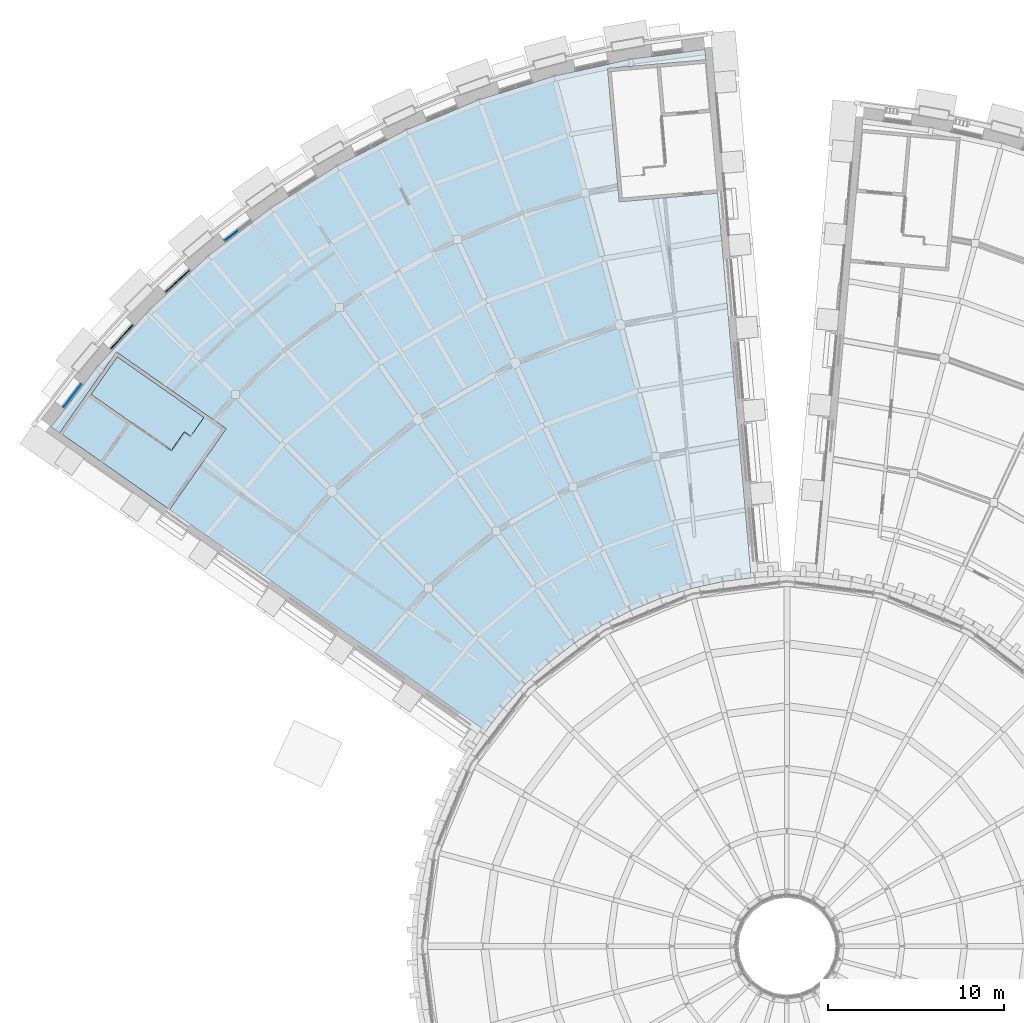
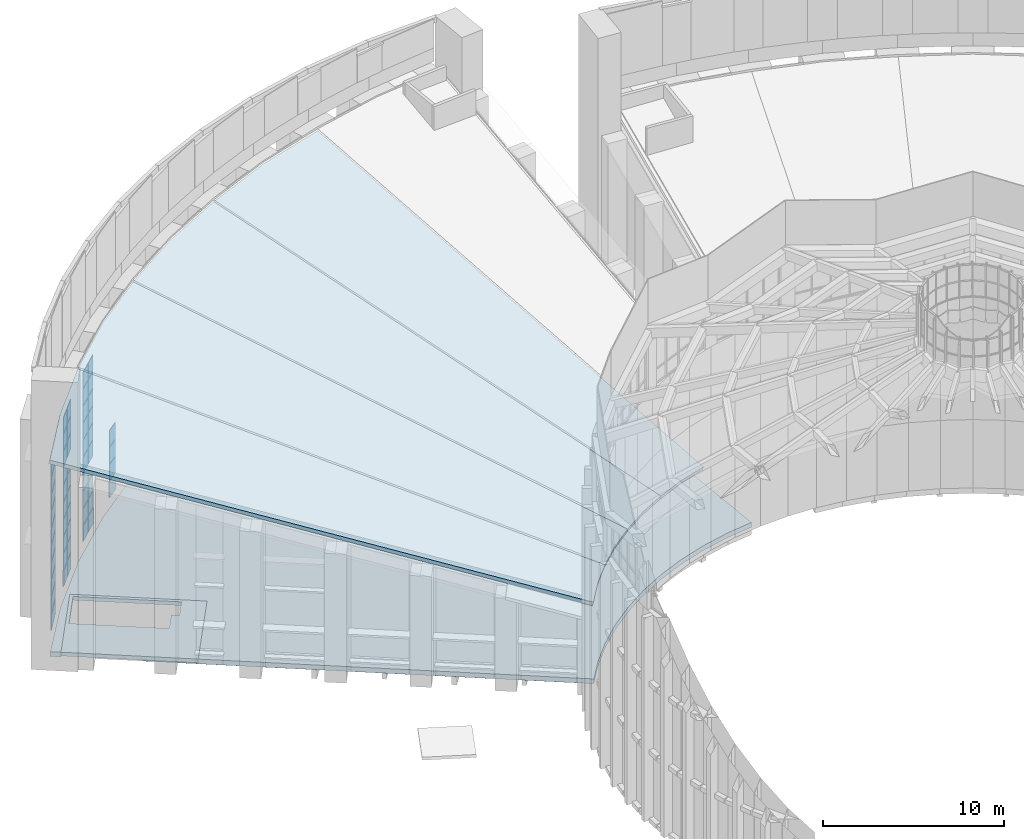
# One storey, part 47 of 82: 54 plates, 6 slabs, 4 elements without a shape of their own.
"""IFC4 building model written with IfcOpenShell, lengths in metres."""

import ifcopenshell
import ifcopenshell.guid

model = None  # the IFC model being written
_history = None  # IfcOwnerHistory: only IFC2X3 demands one
_inside = {}  # id of a spatial element -> (the spatial element, [elements in it])
_under = {}  # id of a project, library or spatial element -> (it, [spatial elements below it])
_declared = {}  # id of a project -> (the project, [libraries it declares])
_typed = {}  # id of a type object -> (the type object, [elements of that type])
_made_of = {}  # id of a material, layer set ... -> (it, [elements and type objects made of it])


def new_model(schema):
    """Start an empty IFC model of exactly this schema.

    Asked for "IFC4X3", IfcOpenShell would pick the latest addendum, in which some entities
    have other attributes; the version numbers below select the first issue.
    IFC2X3 requires an IfcOwnerHistory on every rooted entity: one is made here for all.
    """
    global model, _history
    if schema == "IFC4X3":
        model = ifcopenshell.file(schema_version=(4, 3, 0, 0))
    else:
        model = ifcopenshell.file(schema=schema)
    _inside.clear()
    _under.clear()
    _declared.clear()
    _typed.clear()
    _made_of.clear()
    _history = None
    if model.schema == "IFC2X3":
        org = make("IfcOrganization", Name="unknown")
        user = make(
            "IfcPersonAndOrganization",
            ThePerson=make("IfcPerson", FamilyName="unknown"),
            TheOrganization=org,
        )
        app = make(
            "IfcApplication",
            ApplicationDeveloper=org,
            Version="unknown",
            ApplicationFullName="unknown",
            ApplicationIdentifier="unknown",
        )
        _history = make(
            "IfcOwnerHistory",
            OwningUser=user,
            OwningApplication=app,
            ChangeAction="ADDED",
            CreationDate=0,
        )
    return model


def make(cls, **values):
    """One entity of the class cls with the attributes given. An attribute that is None is left unset."""
    return model.create_entity(
        cls, **{name: value for name, value in values.items() if value is not None}
    )


def rooted(cls, **values):
    """An entity with a GlobalId (a new one), such as an element, a storey or a relation."""
    return make(cls, GlobalId=ifcopenshell.guid.new(), OwnerHistory=_history, **values)


def si_unit(unit_type, name, prefix=None):
    """IfcSIUnit, for example si_unit("LENGTHUNIT", "METRE", prefix="MILLI")."""
    return make("IfcSIUnit", UnitType=unit_type, Prefix=prefix, Name=name)


def assignment(units):
    """IfcUnitAssignment: the units of a project."""
    return None if units is None else make("IfcUnitAssignment", Units=units)


def point(xyz):
    """IfcCartesianPoint."""
    return None if xyz is None else make("IfcCartesianPoint", Coordinates=xyz)


def direction(xyz):
    """IfcDirection."""
    return None if xyz is None else make("IfcDirection", DirectionRatios=xyz)


def frame(location, z_axis=None, x_axis=None):
    """IfcAxis2Placement3D, a coordinate frame: its origin and axes. An axis left out is left unset."""
    return make(
        "IfcAxis2Placement3D",
        Location=point(location),
        Axis=direction(z_axis),
        RefDirection=direction(x_axis),
    )


def frame_2d(location, x_axis=None):
    """IfcAxis2Placement2D, a coordinate frame in the plane: its origin and x axis."""
    return make(
        "IfcAxis2Placement2D", Location=point(location), RefDirection=direction(x_axis)
    )


def origin():
    """The frame at (0, 0, 0) with its axes left unset."""
    return frame((0.0, 0.0, 0.0))


def origin_2d():
    """The frame at (0, 0) in the plane with its x axis left unset."""
    return frame_2d((0.0, 0.0))


def place(relative_to, where):
    """IfcLocalPlacement: puts the frame where relative to a parent placement (None: the world)."""
    return make(
        "IfcLocalPlacement", PlacementRelTo=relative_to, RelativePlacement=where
    )


def context(
    kind, dimensions, precision=None, world=None, true_north=None, identifier=None
):
    """IfcGeometricRepresentationContext, for example the 3D "Model" context."""
    return make(
        "IfcGeometricRepresentationContext",
        ContextIdentifier=identifier,
        ContextType=kind,
        CoordinateSpaceDimension=dimensions,
        Precision=precision,
        WorldCoordinateSystem=world,
        TrueNorth=true_north,
    )


def subcontext(parent, identifier, kind, view, scale=None):
    """IfcGeometricRepresentationSubContext, for example "Body" below "Model"."""
    return make(
        "IfcGeometricRepresentationSubContext",
        ContextIdentifier=identifier,
        ContextType=kind,
        ParentContext=parent,
        TargetScale=scale,
        TargetView=view,
    )


def project(units=None, contexts=None):
    """IfcProject with its units and contexts."""
    return rooted(
        "IfcProject",
        Name="project",
        RepresentationContexts=contexts,
        UnitsInContext=assignment(units),
    )


def spatial(cls, under=None, at=None, **own):
    """A site, building, storey or space (cls), placed at a placement, below another one or the project."""
    s = rooted(cls, ObjectPlacement=at, **own)
    if under is not None:
        _under.setdefault(under.id(), (under, []))[1].append(s)
    return s


def polyline(points):
    """IfcPolyline through the points."""
    return make("IfcPolyline", Points=[point(p) for p in points])


def profile(cls, at=None, kind="AREA", **sizes):
    """A parametric profile (cls). Its sizes go by their IFC names, for example OverallWidth=200.0."""
    return make(cls, ProfileType=kind, Position=at, **sizes)


def rectangle(**sizes):
    """IfcRectangleProfileDef."""
    return profile("IfcRectangleProfileDef", **sizes)


def outline(outer, holes=None, kind="AREA"):
    """IfcArbitraryClosedProfileDef: a profile drawn as a closed curve; with holes, ...WithVoids."""
    if holes is None:
        return make("IfcArbitraryClosedProfileDef", ProfileType=kind, OuterCurve=outer)
    return make(
        "IfcArbitraryProfileDefWithVoids",
        ProfileType=kind,
        OuterCurve=outer,
        InnerCurves=holes,
    )


def extrude(swept, where, along, depth):
    """IfcExtrudedAreaSolid: the profile swept, set in the frame where, extruded along a direction by depth."""
    return make(
        "IfcExtrudedAreaSolid",
        SweptArea=swept,
        Position=where,
        ExtrudedDirection=direction(along),
        Depth=depth,
    )


def shape(context_of_items, identifier, shape_type, items):
    """IfcShapeRepresentation: the items that make up one representation, for example the "Body"."""
    return make(
        "IfcShapeRepresentation",
        ContextOfItems=context_of_items,
        RepresentationIdentifier=identifier,
        RepresentationType=shape_type,
        Items=items,
    )


def material(Name=None, Category=None):
    """IfcMaterial."""
    return make("IfcMaterial", Name=Name, Category=Category)


def layer(
    of_material, thickness, ventilated=None, Name=None, Category=None, Priority=None
):
    """IfcMaterialLayer: one layer of a wall or slab, of a material (None: an air gap)."""
    return make(
        "IfcMaterialLayer",
        Material=of_material,
        LayerThickness=thickness,
        IsVentilated=ventilated,
        Name=Name,
        Category=Category,
        Priority=Priority,
    )


def layer_set(layers, Name=None):
    """IfcMaterialLayerSet."""
    return make("IfcMaterialLayerSet", MaterialLayers=layers, LayerSetName=Name)


def made_of(thing, what):
    """Note that an element or type object is made of a material, layer set ...; save() writes the relation."""
    if what is not None:
        _made_of.setdefault(what.id(), (what, []))[1].append(thing)
    return thing


def type_object(cls, material=None, **own):
    """A type object (cls), such as IfcWallType, which elements share."""
    return made_of(rooted(cls, **own), material)


def element(
    cls,
    number,
    at=None,
    inside=None,
    cuts=None,
    type_object=None,
    material=None,
    context=None,
    identifier="Body",
    shape_type=None,
    held_by="IfcProductDefinitionShape",
    body=None,
    shapes=None,
    **own,
):
    """One element of the class cls, such as IfcWall. Its Tag is "e" and its number.

    at: its placement. inside: the storey or other place that contains it. cuts: it is an
    opening in that element (IfcRelVoidsElement). A single representation is given by context,
    identifier, shape_type and body (its items); several are given by shapes. held_by: the class
    of the entity that holds the representations. save() writes the other relations.
    """
    e = rooted(cls, Tag="e%d" % number, ObjectPlacement=at, **own)
    if body is not None:
        shapes = [shape(context, identifier, shape_type, body)]
    if shapes is not None:
        e.Representation = make(held_by, Representations=shapes)
    if inside is not None:
        _inside.setdefault(inside.id(), (inside, []))[1].append(e)
    if cuts is not None:
        rooted(
            "IfcRelVoidsElement", RelatingBuildingElement=cuts, RelatedOpeningElement=e
        )
    if type_object is not None:
        _typed.setdefault(type_object.id(), (type_object, []))[1].append(e)
    return made_of(e, material)


def aggregate(whole, parts):
    """IfcRelAggregates: a whole, such as a stair, and the parts it consists of."""
    return rooted("IfcRelAggregates", RelatingObject=whole, RelatedObjects=parts)


def save(model, path):
    """Write the relations noted so far, then the file.

    IfcRelAggregates (storeys below a building ...), IfcRelContainedInSpatialStructure (elements
    in a storey), IfcRelDefinesByType, IfcRelAssociatesMaterial and IfcRelDeclares: one each for
    every whole, place, type object, material and project.
    """
    for whole, parts in _under.values():
        aggregate(whole, parts)
    for where, things in _inside.values():
        rooted(
            "IfcRelContainedInSpatialStructure",
            RelatedElements=things,
            RelatingStructure=where,
        )
    for kind, things in _typed.values():
        rooted("IfcRelDefinesByType", RelatedObjects=things, RelatingType=kind)
    for what, things in _made_of.values():
        rooted("IfcRelAssociatesMaterial", RelatedObjects=things, RelatingMaterial=what)
    for by, libraries in _declared.values():
        rooted("IfcRelDeclares", RelatingContext=by, RelatedDefinitions=libraries)
    model.write(path)


model = new_model("IFC4")

# Units and contexts
model_context = context("Model", 3, precision=1e-05, world=origin(), true_north=direction((0.0, 1.0)))
body_context = subcontext(model_context, "Body", "Model", "MODEL_VIEW")
ifc_project = project(units=[si_unit("LENGTHUNIT", "METRE"), si_unit("AREAUNIT", "SQUARE_METRE"), si_unit("VOLUMEUNIT", "CUBIC_METRE"), si_unit("PLANEANGLEUNIT", "RADIAN"), si_unit("MASSUNIT", "GRAM", prefix="KILO")], contexts=[model_context])

# Site, building, storey
site_placement = place(None, origin())
site = spatial("IfcSite", under=ifc_project, at=site_placement, CompositionType="ELEMENT")
building_placement = place(site_placement, origin())
building = spatial("IfcBuilding", under=site, at=building_placement, Name="Volute Hill Aquarium", CompositionType="ELEMENT")
storey_placement = place(building_placement, frame((0.0, 0.0, 13.800048828125)))
storey = spatial("IfcBuildingStorey", under=building, at=storey_placement, Name="L04", CompositionType="ELEMENT", Elevation=13.800048828125)

# Slab
ifc_material_1 = material(Name="Concrete C30/37", Category="concrete")
ifc_layer_1 = layer(ifc_material_1, 0.25)
ifc_layer_set_1 = layer_set([ifc_layer_1], Name="Core floor slab 250")
slab_type_1 = type_object("IfcSlabType", Name="Core floor slab 250", PredefinedType="FLOOR", material=ifc_layer_set_1)
slab_1_placement = place(storey_placement, frame((0.0, 0.0, -0.25)))
element("IfcSlab", 1, at=slab_1_placement, inside=storey, type_object=slab_type_1, Name="cs/S6-B/L04", PredefinedType="FLOOR", context=body_context, shape_type="SweptSolid", body=[
    extrude(outline(polyline([(-31.81494140625, 29.357421875), (-38.040283203125, 33.716796875), (-41.25244140625, 29.12939453125), (-35.02685546875, 24.770263671875), (-31.81494140625, 29.357421875)]), holes=[polyline([(-34.936279296875, 28.125), (-39.482666015625, 31.308349609375), (-37.9912109375, 33.43798828125), (-33.077880859375, 29.997802734375), (-33.82373046875, 28.932861328125), (-34.190673828125, 29.18994140625), (-34.936279296875, 28.125)])]), origin(), (0.0, 0.0, 1.0), 0.25),
])

# Curtain wall, plates
ifc_material_2 = material(Name="Aluminium", Category="aluminium")
ifc_layer_2 = layer(ifc_material_2, 0.25)
ifc_layer_set_2 = layer_set([ifc_layer_2], Name="Curtain wall niche S6 module 967")
curtain_wall_type_1 = type_object("IfcCurtainWallType", Name="Curtain wall niche S6 module 967", PredefinedType="NOTDEFINED", material=ifc_layer_set_2)
curtain_wall_1_placement = place(storey_placement, origin())
curtain_wall_1 = element("IfcCurtainWall", 2, at=curtain_wall_1_placement, inside=storey, type_object=curtain_wall_type_1, Name="Curtain wall CW S6 L04 7", PredefinedType="NOTDEFINED")
ifc_material_3 = material(Name="Glass, low-iron laminated", Category="glass")
ifc_layer_3 = layer(ifc_material_3, 0.0439453125)
ifc_layer_set_3 = layer_set([ifc_layer_3], Name="Curtain wall glass panel S6 44")
plate_type_1 = type_object("IfcPlateType", Name="Curtain wall glass panel S6 44", PredefinedType="CURTAIN_PANEL", material=ifc_layer_set_3)
plate_1_placement = place(storey_placement, frame((-31.527587890625, 40.31396484375, 1.6240234375), z_axis=(0.0, 0.0, 1.0), x_axis=(-0.793347775493, -0.608768681127, 0.0)))
plate_1 = element("IfcPlate", 3, at=plate_1_placement, type_object=plate_type_1, Name="CW panel 2.2", PredefinedType="CURTAIN_PANEL", context=body_context, shape_type="SweptSolid", body=[
    extrude(rectangle(XDim=0.891845703125, YDim=0.0439453125, at=origin_2d()), origin(), (0.0, 0.0, 1.0), 1.09912109375),
])
plate_2_placement = place(storey_placement, frame((-31.527587890625, 40.31396484375, 2.773193359375), z_axis=(0.0, 0.0, 1.0), x_axis=(-0.793347775493, -0.608768681127, 0.0)))
plate_2 = element("IfcPlate", 4, at=plate_2_placement, type_object=plate_type_1, Name="CW panel 2.3", PredefinedType="CURTAIN_PANEL", context=body_context, shape_type="SweptSolid", body=[
    extrude(rectangle(XDim=0.891845703125, YDim=0.0439453125, at=origin_2d()), origin(), (0.0, 0.0, 1.0), 1.09912109375),
])
plate_3_placement = place(storey_placement, frame((-31.527587890625, 40.31396484375, 3.92236328125), z_axis=(0.0, 0.0, 1.0), x_axis=(-0.793347775493, -0.608768681127, 0.0)))
plate_3 = element("IfcPlate", 5, at=plate_3_placement, type_object=plate_type_1, Name="CW panel 2.4", PredefinedType="CURTAIN_PANEL", context=body_context, shape_type="SweptSolid", body=[
    extrude(rectangle(XDim=0.891845703125, YDim=0.0439453125, at=origin_2d()), origin(), (0.0, 0.0, 1.0), 1.09912109375),
])

curtain_wall_2_placement = place(storey_placement, origin())
curtain_wall_2 = element("IfcCurtainWall", 6, at=curtain_wall_2_placement, inside=storey, type_object=curtain_wall_type_1, Name="Curtain wall CW S6 L04 8", PredefinedType="NOTDEFINED")
plate_4_placement = place(storey_placement, frame((-34.226806640625, 38.049072265625, 1.6240234375), z_axis=(0.0, 0.0, 1.0), x_axis=(-0.737284850624, -0.675582007635, 0.0)))
plate_4 = element("IfcPlate", 7, at=plate_4_placement, type_object=plate_type_1, Name="CW panel 1.2", PredefinedType="CURTAIN_PANEL", context=body_context, shape_type="SweptSolid", body=[
    extrude(rectangle(XDim=0.891845703125, YDim=0.0439453125, at=origin_2d()), origin(), (0.0, 0.0, 1.0), 1.09912109375),
])
plate_5_placement = place(storey_placement, frame((-34.226806640625, 38.049072265625, 2.773193359375), z_axis=(0.0, 0.0, 1.0), x_axis=(-0.737284850624, -0.675582007635, 0.0)))
plate_5 = element("IfcPlate", 8, at=plate_5_placement, type_object=plate_type_1, Name="CW panel 1.3", PredefinedType="CURTAIN_PANEL", context=body_context, shape_type="SweptSolid", body=[
    extrude(rectangle(XDim=0.891845703125, YDim=0.0439453125, at=origin_2d()), origin(), (0.0, 0.0, 1.0), 1.09912109375),
])
plate_6_placement = place(storey_placement, frame((-34.226806640625, 38.049072265625, 3.92236328125), z_axis=(0.0, 0.0, 1.0), x_axis=(-0.737284850624, -0.675582007635, 0.0)))
plate_6 = element("IfcPlate", 9, at=plate_6_placement, type_object=plate_type_1, Name="CW panel 1.4", PredefinedType="CURTAIN_PANEL", context=body_context, shape_type="SweptSolid", body=[
    extrude(rectangle(XDim=0.891845703125, YDim=0.0439453125, at=origin_2d()), origin(), (0.0, 0.0, 1.0), 1.09912109375),
])
plate_7_placement = place(storey_placement, frame((-34.226806640625, 38.049072265625, 5.071533203125), z_axis=(0.0, 0.0, 1.0), x_axis=(-0.737284850624, -0.675582007635, 0.0)))
plate_7 = element("IfcPlate", 10, at=plate_7_placement, type_object=plate_type_1, Name="CW panel 1.5", PredefinedType="CURTAIN_PANEL", context=body_context, shape_type="SweptSolid", body=[
    extrude(rectangle(XDim=0.891845703125, YDim=0.0439453125, at=origin_2d()), origin(), (0.0, 0.0, 1.0), 1.09912109375),
])
plate_8_placement = place(storey_placement, frame((-34.226806640625, 38.049072265625, 6.220703125), z_axis=(0.0, 0.0, 1.0), x_axis=(-0.737284850624, -0.675582007635, 0.0)))
plate_8 = element("IfcPlate", 11, at=plate_8_placement, type_object=plate_type_1, Name="CW panel 1.6", PredefinedType="CURTAIN_PANEL", context=body_context, shape_type="SweptSolid", body=[
    extrude(rectangle(XDim=0.891845703125, YDim=0.0439453125, at=origin_2d()), origin(), (0.0, 0.0, 1.0), 1.09912109375),
])
plate_9_placement = place(storey_placement, frame((-34.226806640625, 38.049072265625, 7.369873046875), z_axis=(0.0, 0.0, 1.0), x_axis=(-0.737284850624, -0.675582007635, 0.0)))
plate_9 = element("IfcPlate", 12, at=plate_9_placement, type_object=plate_type_1, Name="CW panel 1.7", PredefinedType="CURTAIN_PANEL", context=body_context, shape_type="SweptSolid", body=[
    extrude(rectangle(XDim=0.891845703125, YDim=0.0439453125, at=origin_2d()), origin(), (0.0, 0.0, 1.0), 1.09912109375),
])
plate_10_placement = place(storey_placement, frame((-34.226806640625, 38.049072265625, 8.51904296875), z_axis=(0.0, 0.0, 1.0), x_axis=(-0.737284850624, -0.675582007635, 0.0)))
plate_10 = element("IfcPlate", 13, at=plate_10_placement, type_object=plate_type_1, Name="CW panel 1.8", PredefinedType="CURTAIN_PANEL", context=body_context, shape_type="SweptSolid", body=[
    extrude(rectangle(XDim=0.891845703125, YDim=0.0439453125, at=origin_2d()), origin(), (0.0, 0.0, 1.0), 1.09912109375),
])
plate_11_placement = place(storey_placement, frame((-34.226806640625, 38.049072265625, 9.66796875), z_axis=(0.0, 0.0, 1.0), x_axis=(-0.737284850624, -0.675582007635, 0.0)))
plate_11 = element("IfcPlate", 14, at=plate_11_placement, type_object=plate_type_1, Name="CW panel 1.9", PredefinedType="CURTAIN_PANEL", context=body_context, shape_type="SweptSolid", body=[
    extrude(rectangle(XDim=0.891845703125, YDim=0.0439453125, at=origin_2d()), origin(), (0.0, 0.0, 1.0), 1.09912109375),
])
plate_12_placement = place(storey_placement, frame((-34.226806640625, 38.049072265625, 10.817138671875), z_axis=(0.0, 0.0, 1.0), x_axis=(-0.737284850624, -0.675582007635, 0.0)))
plate_12 = element("IfcPlate", 15, at=plate_12_placement, type_object=plate_type_1, Name="CW panel 1.10", PredefinedType="CURTAIN_PANEL", context=body_context, shape_type="SweptSolid", body=[
    extrude(rectangle(XDim=0.891845703125, YDim=0.0439453125, at=origin_2d()), origin(), (0.0, 0.0, 1.0), 1.07421875),
])
plate_13_placement = place(storey_placement, frame((-34.921142578125, 37.412841796875, 1.6240234375), z_axis=(0.0, 0.0, 1.0), x_axis=(-0.737284850624, -0.675582007635, 0.0)))
plate_13 = element("IfcPlate", 16, at=plate_13_placement, type_object=plate_type_1, Name="CW panel 2.2", PredefinedType="CURTAIN_PANEL", context=body_context, shape_type="SweptSolid", body=[
    extrude(rectangle(XDim=0.891845703125, YDim=0.0439453125, at=origin_2d()), origin(), (0.0, 0.0, 1.0), 1.09912109375),
])
plate_14_placement = place(storey_placement, frame((-34.921142578125, 37.412841796875, 2.773193359375), z_axis=(0.0, 0.0, 1.0), x_axis=(-0.737284850624, -0.675582007635, 0.0)))
plate_14 = element("IfcPlate", 17, at=plate_14_placement, type_object=plate_type_1, Name="CW panel 2.3", PredefinedType="CURTAIN_PANEL", context=body_context, shape_type="SweptSolid", body=[
    extrude(rectangle(XDim=0.891845703125, YDim=0.0439453125, at=origin_2d()), origin(), (0.0, 0.0, 1.0), 1.09912109375),
])
plate_15_placement = place(storey_placement, frame((-34.921142578125, 37.412841796875, 3.92236328125), z_axis=(0.0, 0.0, 1.0), x_axis=(-0.737284850624, -0.675582007635, 0.0)))
plate_15 = element("IfcPlate", 18, at=plate_15_placement, type_object=plate_type_1, Name="CW panel 2.4", PredefinedType="CURTAIN_PANEL", context=body_context, shape_type="SweptSolid", body=[
    extrude(rectangle(XDim=0.891845703125, YDim=0.0439453125, at=origin_2d()), origin(), (0.0, 0.0, 1.0), 1.09912109375),
])
plate_16_placement = place(storey_placement, frame((-34.921142578125, 37.412841796875, 5.071533203125), z_axis=(0.0, 0.0, 1.0), x_axis=(-0.737284850624, -0.675582007635, 0.0)))
plate_16 = element("IfcPlate", 19, at=plate_16_placement, type_object=plate_type_1, Name="CW panel 2.5", PredefinedType="CURTAIN_PANEL", context=body_context, shape_type="SweptSolid", body=[
    extrude(rectangle(XDim=0.891845703125, YDim=0.0439453125, at=origin_2d()), origin(), (0.0, 0.0, 1.0), 1.09912109375),
])
plate_17_placement = place(storey_placement, frame((-34.921142578125, 37.412841796875, 6.220703125), z_axis=(0.0, 0.0, 1.0), x_axis=(-0.737284850624, -0.675582007635, 0.0)))
plate_17 = element("IfcPlate", 20, at=plate_17_placement, type_object=plate_type_1, Name="CW panel 2.6", PredefinedType="CURTAIN_PANEL", context=body_context, shape_type="SweptSolid", body=[
    extrude(rectangle(XDim=0.891845703125, YDim=0.0439453125, at=origin_2d()), origin(), (0.0, 0.0, 1.0), 1.09912109375),
])
plate_18_placement = place(storey_placement, frame((-34.921142578125, 37.412841796875, 7.369873046875), z_axis=(0.0, 0.0, 1.0), x_axis=(-0.737284850624, -0.675582007635, 0.0)))
plate_18 = element("IfcPlate", 21, at=plate_18_placement, type_object=plate_type_1, Name="CW panel 2.7", PredefinedType="CURTAIN_PANEL", context=body_context, shape_type="SweptSolid", body=[
    extrude(rectangle(XDim=0.891845703125, YDim=0.0439453125, at=origin_2d()), origin(), (0.0, 0.0, 1.0), 1.09912109375),
])
plate_19_placement = place(storey_placement, frame((-34.921142578125, 37.412841796875, 8.51904296875), z_axis=(0.0, 0.0, 1.0), x_axis=(-0.737284850624, -0.675582007635, 0.0)))
plate_19 = element("IfcPlate", 22, at=plate_19_placement, type_object=plate_type_1, Name="CW panel 2.8", PredefinedType="CURTAIN_PANEL", context=body_context, shape_type="SweptSolid", body=[
    extrude(rectangle(XDim=0.891845703125, YDim=0.0439453125, at=origin_2d()), origin(), (0.0, 0.0, 1.0), 1.09912109375),
])
plate_20_placement = place(storey_placement, frame((-34.921142578125, 37.412841796875, 9.66796875), z_axis=(0.0, 0.0, 1.0), x_axis=(-0.737284850624, -0.675582007635, 0.0)))
plate_20 = element("IfcPlate", 23, at=plate_20_placement, type_object=plate_type_1, Name="CW panel 2.9", PredefinedType="CURTAIN_PANEL", context=body_context, shape_type="SweptSolid", body=[
    extrude(rectangle(XDim=0.891845703125, YDim=0.0439453125, at=origin_2d()), origin(), (0.0, 0.0, 1.0), 1.09912109375),
])
plate_21_placement = place(storey_placement, frame((-34.921142578125, 37.412841796875, 10.817138671875), z_axis=(0.0, 0.0, 1.0), x_axis=(-0.737284850624, -0.675582007635, 0.0)))
plate_21 = element("IfcPlate", 24, at=plate_21_placement, type_object=plate_type_1, Name="CW panel 2.10", PredefinedType="CURTAIN_PANEL", context=body_context, shape_type="SweptSolid", body=[
    extrude(rectangle(XDim=0.891845703125, YDim=0.0439453125, at=origin_2d()), origin(), (0.0, 0.0, 1.0), 1.07421875),
])

curtain_wall_3_placement = place(storey_placement, origin())
curtain_wall_3 = element("IfcCurtainWall", 25, at=curtain_wall_3_placement, inside=storey, type_object=curtain_wall_type_1, Name="Curtain wall CW S6 L04 9", PredefinedType="NOTDEFINED")
plate_22_placement = place(storey_placement, frame((-37.412841796875, 34.921142578125, 1.6240234375), z_axis=(0.0, 0.0, 1.0), x_axis=(-0.675582007635, -0.737284850624, 0.0)))
plate_22 = element("IfcPlate", 26, at=plate_22_placement, type_object=plate_type_1, Name="CW panel 1.2", PredefinedType="CURTAIN_PANEL", context=body_context, shape_type="SweptSolid", body=[
    extrude(rectangle(XDim=0.891845703125, YDim=0.0439453125, at=origin_2d()), origin(), (0.0, 0.0, 1.0), 1.09912109375),
])
plate_23_placement = place(storey_placement, frame((-37.412841796875, 34.921142578125, 2.773193359375), z_axis=(0.0, 0.0, 1.0), x_axis=(-0.675582007635, -0.737284850624, 0.0)))
plate_23 = element("IfcPlate", 27, at=plate_23_placement, type_object=plate_type_1, Name="CW panel 1.3", PredefinedType="CURTAIN_PANEL", context=body_context, shape_type="SweptSolid", body=[
    extrude(rectangle(XDim=0.891845703125, YDim=0.0439453125, at=origin_2d()), origin(), (0.0, 0.0, 1.0), 1.09912109375),
])
plate_24_placement = place(storey_placement, frame((-37.412841796875, 34.921142578125, 3.92236328125), z_axis=(0.0, 0.0, 1.0), x_axis=(-0.675582007635, -0.737284850624, 0.0)))
plate_24 = element("IfcPlate", 28, at=plate_24_placement, type_object=plate_type_1, Name="CW panel 1.4", PredefinedType="CURTAIN_PANEL", context=body_context, shape_type="SweptSolid", body=[
    extrude(rectangle(XDim=0.891845703125, YDim=0.0439453125, at=origin_2d()), origin(), (0.0, 0.0, 1.0), 1.09912109375),
])
plate_25_placement = place(storey_placement, frame((-37.412841796875, 34.921142578125, 5.071533203125), z_axis=(0.0, 0.0, 1.0), x_axis=(-0.675582007635, -0.737284850624, 0.0)))
plate_25 = element("IfcPlate", 29, at=plate_25_placement, type_object=plate_type_1, Name="CW panel 1.5", PredefinedType="CURTAIN_PANEL", context=body_context, shape_type="SweptSolid", body=[
    extrude(rectangle(XDim=0.891845703125, YDim=0.0439453125, at=origin_2d()), origin(), (0.0, 0.0, 1.0), 1.09912109375),
])
plate_26_placement = place(storey_placement, frame((-37.412841796875, 34.921142578125, 6.220703125), z_axis=(0.0, 0.0, 1.0), x_axis=(-0.675582007635, -0.737284850624, 0.0)))
plate_26 = element("IfcPlate", 30, at=plate_26_placement, type_object=plate_type_1, Name="CW panel 1.6", PredefinedType="CURTAIN_PANEL", context=body_context, shape_type="SweptSolid", body=[
    extrude(rectangle(XDim=0.891845703125, YDim=0.0439453125, at=origin_2d()), origin(), (0.0, 0.0, 1.0), 1.09912109375),
])
plate_27_placement = place(storey_placement, frame((-37.412841796875, 34.921142578125, 7.369873046875), z_axis=(0.0, 0.0, 1.0), x_axis=(-0.675582007635, -0.737284850624, 0.0)))
plate_27 = element("IfcPlate", 31, at=plate_27_placement, type_object=plate_type_1, Name="CW panel 1.7", PredefinedType="CURTAIN_PANEL", context=body_context, shape_type="SweptSolid", body=[
    extrude(rectangle(XDim=0.891845703125, YDim=0.0439453125, at=origin_2d()), origin(), (0.0, 0.0, 1.0), 1.09912109375),
])
plate_28_placement = place(storey_placement, frame((-37.412841796875, 34.921142578125, 8.51904296875), z_axis=(0.0, 0.0, 1.0), x_axis=(-0.675582007635, -0.737284850624, 0.0)))
plate_28 = element("IfcPlate", 32, at=plate_28_placement, type_object=plate_type_1, Name="CW panel 1.8", PredefinedType="CURTAIN_PANEL", context=body_context, shape_type="SweptSolid", body=[
    extrude(rectangle(XDim=0.891845703125, YDim=0.0439453125, at=origin_2d()), origin(), (0.0, 0.0, 1.0), 1.09912109375),
])
plate_29_placement = place(storey_placement, frame((-37.412841796875, 34.921142578125, 9.66796875), z_axis=(0.0, 0.0, 1.0), x_axis=(-0.675582007635, -0.737284850624, 0.0)))
plate_29 = element("IfcPlate", 33, at=plate_29_placement, type_object=plate_type_1, Name="CW panel 1.9", PredefinedType="CURTAIN_PANEL", context=body_context, shape_type="SweptSolid", body=[
    extrude(rectangle(XDim=0.891845703125, YDim=0.0439453125, at=origin_2d()), origin(), (0.0, 0.0, 1.0), 1.09912109375),
])
plate_30_placement = place(storey_placement, frame((-37.412841796875, 34.921142578125, 10.817138671875), z_axis=(0.0, 0.0, 1.0), x_axis=(-0.675582007635, -0.737284850624, 0.0)))
plate_30 = element("IfcPlate", 34, at=plate_30_placement, type_object=plate_type_1, Name="CW panel 1.10", PredefinedType="CURTAIN_PANEL", context=body_context, shape_type="SweptSolid", body=[
    extrude(rectangle(XDim=0.891845703125, YDim=0.0439453125, at=origin_2d()), origin(), (0.0, 0.0, 1.0), 1.07421875),
])
plate_31_placement = place(storey_placement, frame((-38.049072265625, 34.226806640625, 1.6240234375), z_axis=(0.0, 0.0, 1.0), x_axis=(-0.675582007635, -0.737284850624, 0.0)))
plate_31 = element("IfcPlate", 35, at=plate_31_placement, type_object=plate_type_1, Name="CW panel 2.2", PredefinedType="CURTAIN_PANEL", context=body_context, shape_type="SweptSolid", body=[
    extrude(rectangle(XDim=0.891845703125, YDim=0.0439453125, at=origin_2d()), origin(), (0.0, 0.0, 1.0), 1.09912109375),
])
plate_32_placement = place(storey_placement, frame((-38.049072265625, 34.226806640625, 2.773193359375), z_axis=(0.0, 0.0, 1.0), x_axis=(-0.675582007635, -0.737284850624, 0.0)))
plate_32 = element("IfcPlate", 36, at=plate_32_placement, type_object=plate_type_1, Name="CW panel 2.3", PredefinedType="CURTAIN_PANEL", context=body_context, shape_type="SweptSolid", body=[
    extrude(rectangle(XDim=0.891845703125, YDim=0.0439453125, at=origin_2d()), origin(), (0.0, 0.0, 1.0), 1.09912109375),
])
plate_33_placement = place(storey_placement, frame((-38.049072265625, 34.226806640625, 3.92236328125), z_axis=(0.0, 0.0, 1.0), x_axis=(-0.675582007635, -0.737284850624, 0.0)))
plate_33 = element("IfcPlate", 37, at=plate_33_placement, type_object=plate_type_1, Name="CW panel 2.4", PredefinedType="CURTAIN_PANEL", context=body_context, shape_type="SweptSolid", body=[
    extrude(rectangle(XDim=0.891845703125, YDim=0.0439453125, at=origin_2d()), origin(), (0.0, 0.0, 1.0), 1.09912109375),
])
plate_34_placement = place(storey_placement, frame((-38.049072265625, 34.226806640625, 5.071533203125), z_axis=(0.0, 0.0, 1.0), x_axis=(-0.675582007635, -0.737284850624, 0.0)))
plate_34 = element("IfcPlate", 38, at=plate_34_placement, type_object=plate_type_1, Name="CW panel 2.5", PredefinedType="CURTAIN_PANEL", context=body_context, shape_type="SweptSolid", body=[
    extrude(rectangle(XDim=0.891845703125, YDim=0.0439453125, at=origin_2d()), origin(), (0.0, 0.0, 1.0), 1.09912109375),
])
plate_35_placement = place(storey_placement, frame((-38.049072265625, 34.226806640625, 6.220703125), z_axis=(0.0, 0.0, 1.0), x_axis=(-0.675582007635, -0.737284850624, 0.0)))
plate_35 = element("IfcPlate", 39, at=plate_35_placement, type_object=plate_type_1, Name="CW panel 2.6", PredefinedType="CURTAIN_PANEL", context=body_context, shape_type="SweptSolid", body=[
    extrude(rectangle(XDim=0.891845703125, YDim=0.0439453125, at=origin_2d()), origin(), (0.0, 0.0, 1.0), 1.09912109375),
])
plate_36_placement = place(storey_placement, frame((-38.049072265625, 34.226806640625, 7.369873046875), z_axis=(0.0, 0.0, 1.0), x_axis=(-0.675582007635, -0.737284850624, 0.0)))
plate_36 = element("IfcPlate", 40, at=plate_36_placement, type_object=plate_type_1, Name="CW panel 2.7", PredefinedType="CURTAIN_PANEL", context=body_context, shape_type="SweptSolid", body=[
    extrude(rectangle(XDim=0.891845703125, YDim=0.0439453125, at=origin_2d()), origin(), (0.0, 0.0, 1.0), 1.09912109375),
])
plate_37_placement = place(storey_placement, frame((-38.049072265625, 34.226806640625, 8.51904296875), z_axis=(0.0, 0.0, 1.0), x_axis=(-0.675582007635, -0.737284850624, 0.0)))
plate_37 = element("IfcPlate", 41, at=plate_37_placement, type_object=plate_type_1, Name="CW panel 2.8", PredefinedType="CURTAIN_PANEL", context=body_context, shape_type="SweptSolid", body=[
    extrude(rectangle(XDim=0.891845703125, YDim=0.0439453125, at=origin_2d()), origin(), (0.0, 0.0, 1.0), 1.09912109375),
])
plate_38_placement = place(storey_placement, frame((-38.049072265625, 34.226806640625, 9.66796875), z_axis=(0.0, 0.0, 1.0), x_axis=(-0.675582007635, -0.737284850624, 0.0)))
plate_38 = element("IfcPlate", 42, at=plate_38_placement, type_object=plate_type_1, Name="CW panel 2.9", PredefinedType="CURTAIN_PANEL", context=body_context, shape_type="SweptSolid", body=[
    extrude(rectangle(XDim=0.891845703125, YDim=0.0439453125, at=origin_2d()), origin(), (0.0, 0.0, 1.0), 1.09912109375),
])
plate_39_placement = place(storey_placement, frame((-38.049072265625, 34.226806640625, 10.817138671875), z_axis=(0.0, 0.0, 1.0), x_axis=(-0.675582007635, -0.737284850624, 0.0)))
plate_39 = element("IfcPlate", 43, at=plate_39_placement, type_object=plate_type_1, Name="CW panel 2.10", PredefinedType="CURTAIN_PANEL", context=body_context, shape_type="SweptSolid", body=[
    extrude(rectangle(XDim=0.891845703125, YDim=0.0439453125, at=origin_2d()), origin(), (0.0, 0.0, 1.0), 1.07421875),
])

ifc_material_4 = material(Name="Aluminium", Category="aluminium")
ifc_layer_4 = layer(ifc_material_4, 0.25)
ifc_layer_set_4 = layer_set([ifc_layer_4], Name="Curtain wall niche S6 module 1734")
curtain_wall_type_2 = type_object("IfcCurtainWallType", Name="Curtain wall niche S6 module 1734", PredefinedType="NOTDEFINED", material=ifc_layer_set_4)
curtain_wall_4_placement = place(storey_placement, origin())
curtain_wall_4 = element("IfcCurtainWall", 44, at=curtain_wall_4_placement, inside=storey, type_object=curtain_wall_type_2, Name="Curtain wall CW S6 L04 10", PredefinedType="NOTDEFINED")
plate_40_placement = place(storey_placement, frame((-40.539794921875, 31.2333984375, 1.62451171875), z_axis=(0.0, 0.0, 1.0), x_axis=(-0.608766945394, -0.79334910739, 0.0)))
plate_40 = element("IfcPlate", 45, at=plate_40_placement, type_object=plate_type_1, Name="CW panel 1.2", PredefinedType="CURTAIN_PANEL", context=body_context, shape_type="SweptSolid", body=[
    extrude(rectangle(XDim=1.633544921875, YDim=0.0439453125, at=origin_2d()), origin(), (0.0, 0.0, 1.0), 1.099365234375),
])
plate_41_placement = place(storey_placement, frame((-40.539794921875, 31.2333984375, 2.7734375), z_axis=(0.0, 0.0, 1.0), x_axis=(-0.608766945394, -0.79334910739, 0.0)))
plate_41 = element("IfcPlate", 46, at=plate_41_placement, type_object=plate_type_1, Name="CW panel 1.3", PredefinedType="CURTAIN_PANEL", context=body_context, shape_type="SweptSolid", body=[
    extrude(rectangle(XDim=1.633544921875, YDim=0.0439453125, at=origin_2d()), origin(), (0.0, 0.0, 1.0), 1.099365234375),
])
plate_42_placement = place(storey_placement, frame((-40.539794921875, 31.2333984375, 3.9228515625), z_axis=(0.0, 0.0, 1.0), x_axis=(-0.608766945394, -0.79334910739, 0.0)))
plate_42 = element("IfcPlate", 47, at=plate_42_placement, type_object=plate_type_1, Name="CW panel 1.4", PredefinedType="CURTAIN_PANEL", context=body_context, shape_type="SweptSolid", body=[
    extrude(rectangle(XDim=1.633544921875, YDim=0.0439453125, at=origin_2d()), origin(), (0.0, 0.0, 1.0), 1.099365234375),
])
plate_43_placement = place(storey_placement, frame((-40.539794921875, 31.2333984375, 5.072265625), z_axis=(0.0, 0.0, 1.0), x_axis=(-0.608766945394, -0.79334910739, 0.0)))
plate_43 = element("IfcPlate", 48, at=plate_43_placement, type_object=plate_type_1, Name="CW panel 1.5", PredefinedType="CURTAIN_PANEL", context=body_context, shape_type="SweptSolid", body=[
    extrude(rectangle(XDim=1.633544921875, YDim=0.0439453125, at=origin_2d()), origin(), (0.0, 0.0, 1.0), 1.099365234375),
])
plate_44_placement = place(storey_placement, frame((-40.539794921875, 31.2333984375, 6.2216796875), z_axis=(0.0, 0.0, 1.0), x_axis=(-0.608766945394, -0.79334910739, 0.0)))
plate_44 = element("IfcPlate", 49, at=plate_44_placement, type_object=plate_type_1, Name="CW panel 1.6", PredefinedType="CURTAIN_PANEL", context=body_context, shape_type="SweptSolid", body=[
    extrude(rectangle(XDim=1.633544921875, YDim=0.0439453125, at=origin_2d()), origin(), (0.0, 0.0, 1.0), 1.099365234375),
])
plate_45_placement = place(storey_placement, frame((-40.539794921875, 31.2333984375, 7.37109375), z_axis=(0.0, 0.0, 1.0), x_axis=(-0.608766945394, -0.79334910739, 0.0)))
plate_45 = element("IfcPlate", 50, at=plate_45_placement, type_object=plate_type_1, Name="CW panel 1.7", PredefinedType="CURTAIN_PANEL", context=body_context, shape_type="SweptSolid", body=[
    extrude(rectangle(XDim=1.633544921875, YDim=0.0439453125, at=origin_2d()), origin(), (0.0, 0.0, 1.0), 1.099365234375),
])
plate_46_placement = place(storey_placement, frame((-40.539794921875, 31.2333984375, 8.5205078125), z_axis=(0.0, 0.0, 1.0), x_axis=(-0.608766945394, -0.79334910739, 0.0)))
plate_46 = element("IfcPlate", 51, at=plate_46_placement, type_object=plate_type_1, Name="CW panel 1.8", PredefinedType="CURTAIN_PANEL", context=body_context, shape_type="SweptSolid", body=[
    extrude(rectangle(XDim=1.633544921875, YDim=0.0439453125, at=origin_2d()), origin(), (0.0, 0.0, 1.0), 1.099365234375),
])
plate_47_placement = place(storey_placement, frame((-40.539794921875, 31.2333984375, 9.669921875), z_axis=(0.0, 0.0, 1.0), x_axis=(-0.608766945394, -0.79334910739, 0.0)))
plate_47 = element("IfcPlate", 52, at=plate_47_placement, type_object=plate_type_1, Name="CW panel 1.9", PredefinedType="CURTAIN_PANEL", context=body_context, shape_type="SweptSolid", body=[
    extrude(rectangle(XDim=1.633544921875, YDim=0.0439453125, at=origin_2d()), origin(), (0.0, 0.0, 1.0), 1.099365234375),
])
plate_48_placement = place(storey_placement, frame((-40.539794921875, 31.2333984375, 10.8193359375), z_axis=(0.0, 0.0, 1.0), x_axis=(-0.608766945394, -0.79334910739, 0.0)))
plate_48 = element("IfcPlate", 53, at=plate_48_placement, type_object=plate_type_1, Name="CW panel 1.10", PredefinedType="CURTAIN_PANEL", context=body_context, shape_type="SweptSolid", body=[
    extrude(rectangle(XDim=1.633544921875, YDim=0.0439453125, at=origin_2d()), origin(), (0.0, 0.0, 1.0), 1.074462890625),
])

# Plate
ifc_material_5 = material(Name="Aluminium", Category="aluminium")
ifc_layer_5 = layer(ifc_material_5, 0.06005859375)
ifc_layer_set_5 = layer_set([ifc_layer_5], Name="Curtain wall insulated spandrel panel 60")
plate_type_2 = type_object("IfcPlateType", Name="Curtain wall insulated spandrel panel 60", PredefinedType="CURTAIN_PANEL", material=ifc_layer_set_5)
plate_49_placement = place(storey_placement, frame((-31.527587890625, 40.31396484375, 0.5), z_axis=(0.0, 0.0, 1.0), x_axis=(-0.793347775493, -0.608768681127, 0.0)))
plate_49 = element("IfcPlate", 54, at=plate_49_placement, type_object=plate_type_2, Name="CW panel 2.1", PredefinedType="CURTAIN_PANEL", context=body_context, shape_type="SweptSolid", body=[
    extrude(rectangle(XDim=0.891845703125, YDim=0.06005859375, at=origin_2d()), origin(), (0.0, 0.0, 1.0), 1.07421875),
])

aggregate(curtain_wall_1, [plate_49, plate_1, plate_2, plate_3])

plate_50_placement = place(storey_placement, frame((-34.226806640625, 38.049072265625, 0.5), z_axis=(0.0, 0.0, 1.0), x_axis=(-0.737284850624, -0.675582007635, 0.0)))
plate_50 = element("IfcPlate", 55, at=plate_50_placement, type_object=plate_type_2, Name="CW panel 1.1", PredefinedType="CURTAIN_PANEL", context=body_context, shape_type="SweptSolid", body=[
    extrude(rectangle(XDim=0.891845703125, YDim=0.06005859375, at=origin_2d()), origin(), (0.0, 0.0, 1.0), 1.07421875),
])

plate_51_placement = place(storey_placement, frame((-34.921142578125, 37.412841796875, 0.5), z_axis=(0.0, 0.0, 1.0), x_axis=(-0.737284850624, -0.675582007635, 0.0)))
plate_51 = element("IfcPlate", 56, at=plate_51_placement, type_object=plate_type_2, Name="CW panel 2.1", PredefinedType="CURTAIN_PANEL", context=body_context, shape_type="SweptSolid", body=[
    extrude(rectangle(XDim=0.891845703125, YDim=0.06005859375, at=origin_2d()), origin(), (0.0, 0.0, 1.0), 1.07421875),
])

aggregate(curtain_wall_2, [plate_50, plate_4, plate_5, plate_6, plate_7, plate_8, plate_9, plate_10, plate_11, plate_12, plate_51, plate_13, plate_14, plate_15, plate_16, plate_17, plate_18, plate_19, plate_20, plate_21])

plate_52_placement = place(storey_placement, frame((-37.412841796875, 34.921142578125, 0.5), z_axis=(0.0, 0.0, 1.0), x_axis=(-0.675582007635, -0.737284850624, 0.0)))
plate_52 = element("IfcPlate", 57, at=plate_52_placement, type_object=plate_type_2, Name="CW panel 1.1", PredefinedType="CURTAIN_PANEL", context=body_context, shape_type="SweptSolid", body=[
    extrude(rectangle(XDim=0.891845703125, YDim=0.06005859375, at=origin_2d()), origin(), (0.0, 0.0, 1.0), 1.07421875),
])

plate_53_placement = place(storey_placement, frame((-38.049072265625, 34.226806640625, 0.5), z_axis=(0.0, 0.0, 1.0), x_axis=(-0.675582007635, -0.737284850624, 0.0)))
plate_53 = element("IfcPlate", 58, at=plate_53_placement, type_object=plate_type_2, Name="CW panel 2.1", PredefinedType="CURTAIN_PANEL", context=body_context, shape_type="SweptSolid", body=[
    extrude(rectangle(XDim=0.891845703125, YDim=0.06005859375, at=origin_2d()), origin(), (0.0, 0.0, 1.0), 1.07421875),
])

aggregate(curtain_wall_3, [plate_52, plate_22, plate_23, plate_24, plate_25, plate_26, plate_27, plate_28, plate_29, plate_30, plate_53, plate_31, plate_32, plate_33, plate_34, plate_35, plate_36, plate_37, plate_38, plate_39])

plate_54_placement = place(storey_placement, frame((-40.539794921875, 31.2333984375, 0.5), z_axis=(0.0, 0.0, 1.0), x_axis=(-0.608766945394, -0.79334910739, 0.0)))
plate_54 = element("IfcPlate", 59, at=plate_54_placement, type_object=plate_type_2, Name="CW panel 1.1", PredefinedType="CURTAIN_PANEL", context=body_context, shape_type="SweptSolid", body=[
    extrude(rectangle(XDim=1.633544921875, YDim=0.06005859375, at=origin_2d()), origin(), (0.0, 0.0, 1.0), 1.074462890625),
])

aggregate(curtain_wall_4, [plate_54, plate_40, plate_41, plate_42, plate_43, plate_44, plate_45, plate_46, plate_47, plate_48])

# Slabs
ifc_material_6 = material(Name="Concrete C35/45", Category="concrete")
ifc_layer_6 = layer(ifc_material_6, 0.320068359375)
ifc_layer_set_6 = layer_set([ifc_layer_6], Name="Floor slab 320 C35/45")
slab_type_2 = type_object("IfcSlabType", Name="Floor slab 320 C35/45", PredefinedType="FLOOR", material=ifc_layer_set_6)
slab_2_placement = place(storey_placement, frame((0.0, 0.0, -0.320068359375)))
element("IfcSlab", 60, at=slab_2_placement, inside=storey, type_object=slab_type_2, Name="fl/S6/L04/1", PredefinedType="FLOOR", context=body_context, shape_type="SweptSolid", body=[
    extrude(outline(polyline([(-39.14501953125, 32.846435546875), (-36.13330078125, 36.13330078125), (-32.846435546875, 39.14501953125), (-29.309814453125, 41.858642578125), (-25.550048828125, 44.25390625), (-21.595703125, 46.312255859375), (-17.477294921875, 48.018310546875), (-13.2255859375, 49.35888671875), (-8.873291015625, 50.32373046875), (-4.652099609375, 50.87939453125), (-4.6005859375, 50.290283203125), (-10.17919921875, 49.80224609375), (-9.516845703125, 42.231201171875), (-3.938232421875, 42.71923828125), (-2.02880859375, 20.89404296875), (-3.646484375, 20.680908203125), (-5.435302734375, 20.284423828125), (-7.182373046875, 19.7333984375), (-8.875, 19.032470703125), (-10.5, 18.1865234375), (-12.045166015625, 17.2021484375), (-13.49853515625, 16.0869140625), (-14.84912109375, 14.84912109375), (-16.0869140625, 13.49853515625), (-17.080322265625, 12.203857421875), (-37.56396484375, 26.546630859375), (-35.02685546875, 24.770263671875), (-31.81494140625, 29.357421875), (-38.040283203125, 33.716796875), (-41.25244140625, 29.12939453125), (-41.73681640625, 29.468505859375), (-39.14501953125, 32.846435546875)])), origin(), (0.0, 0.0, 1.0), 0.320068359375),
])
ifc_material_7 = material(Name="Concrete C30/37", Category="concrete")
ifc_layer_7 = layer(ifc_material_7, 0.25)
ifc_layer_set_7 = layer_set([ifc_layer_7], Name="Roof slab 250 C30/37")
slab_type_3 = type_object("IfcSlabType", Name="Roof slab 250 C30/37", PredefinedType="ROOF", material=ifc_layer_set_7)
slab_3_placement = place(storey_placement, frame((-13.2255859375, 49.35888671875, 13.0380859375), z_axis=(0.085465694042, -0.234806136854, 0.968277694279), x_axis=(-0.953657017801, -0.30068508043, 0.0112594319)))
element("IfcSlab", 61, at=slab_3_placement, inside=storey, type_object=slab_type_3, Name="rf/S6/L04/2", PredefinedType="ROOF", context=body_context, shape_type="SweptSolid", body=[
    extrude(outline(polyline([(0.0, 0.0), (4.45832963491401, -1.0408340855860843e-17), (8.898297440663388, 0.40140252013079447), (4.882608126094654, 31.219488505387837), (3.057894947860879, 31.054782479987978), (1.225873063537075, 31.054586751271582), (0.0, 0.0)])), origin(), (0.0, 0.0, -1.0), 0.25),
])
slab_4_placement = place(storey_placement, frame((-21.595703125, 46.312255859375, 13.0380859375), z_axis=(0.124936902828, -0.216400693862, 0.968277599662), x_axis=(-0.88697070091, -0.461688337415, 0.011262984613)))
element("IfcSlab", 62, at=slab_4_placement, inside=storey, type_object=slab_type_3, Name="rf/S6/L04/3", PredefinedType="ROOF", context=body_context, shape_type="SweptSolid", body=[
    extrude(outline(polyline([(0.0, 0.0), (4.458271237845122, -1.5959455978986625e-16), (8.898372042913648, 0.40144716635873), (4.881597110713379, 31.219518592325528), (3.0568366488460668, 31.054588392941916), (1.22471429408369, 31.054472453461536), (0.0, 0.0)])), origin(), (0.0, 0.0, -1.0), 0.25),
])
slab_5_placement = place(storey_placement, frame((-29.309814453125, 41.858642578125, 13.0380859375), z_axis=(0.160616807126, -0.191416024702, 0.968277928467), x_axis=(-0.793319205036, -0.608701730977, 0.011262398791)))
element("IfcSlab", 63, at=slab_5_placement, inside=storey, type_object=slab_type_3, Name="rf/S6/L04/4", PredefinedType="ROOF", context=body_context, shape_type="SweptSolid", body=[
    extrude(outline(polyline([(0.0, 0.0), (4.458022899929918, 3.9898639947466563e-17), (8.89822821159544, 0.40129671509556974), (4.881647860482735, 31.21974752793257), (3.056986342705756, 31.054687836691063), (1.2249246297709022, 31.05459011047571), (0.0, 0.0)])), origin(), (0.0, 0.0, -1.0), 0.25),
])
slab_6_placement = place(storey_placement, frame((-36.13330078125, 36.13330078125, 13.0380859375), z_axis=(0.191416024702, -0.160616807126, 0.968277928467), x_axis=(-0.675536027854, -0.737241118334, 0.011252044652)))
element("IfcSlab", 64, at=slab_6_placement, inside=storey, type_object=slab_type_3, Name="rf/S6/L04/5", PredefinedType="ROOF", context=body_context, shape_type="SweptSolid", body=[
    extrude(outline(polyline([(0.0, 0.0), (4.458302621322289, 5.377642775528102e-17), (8.898229347051032, 0.40127153706585084), (4.883019217110886, 31.219546876394958), (3.0583854815326426, 31.054738319147514), (1.2262734943270006, 31.054888206807455), (0.0, 0.0)])), origin(), (0.0, 0.0, -1.0), 0.25),
])

save(model, "model.ifc")
